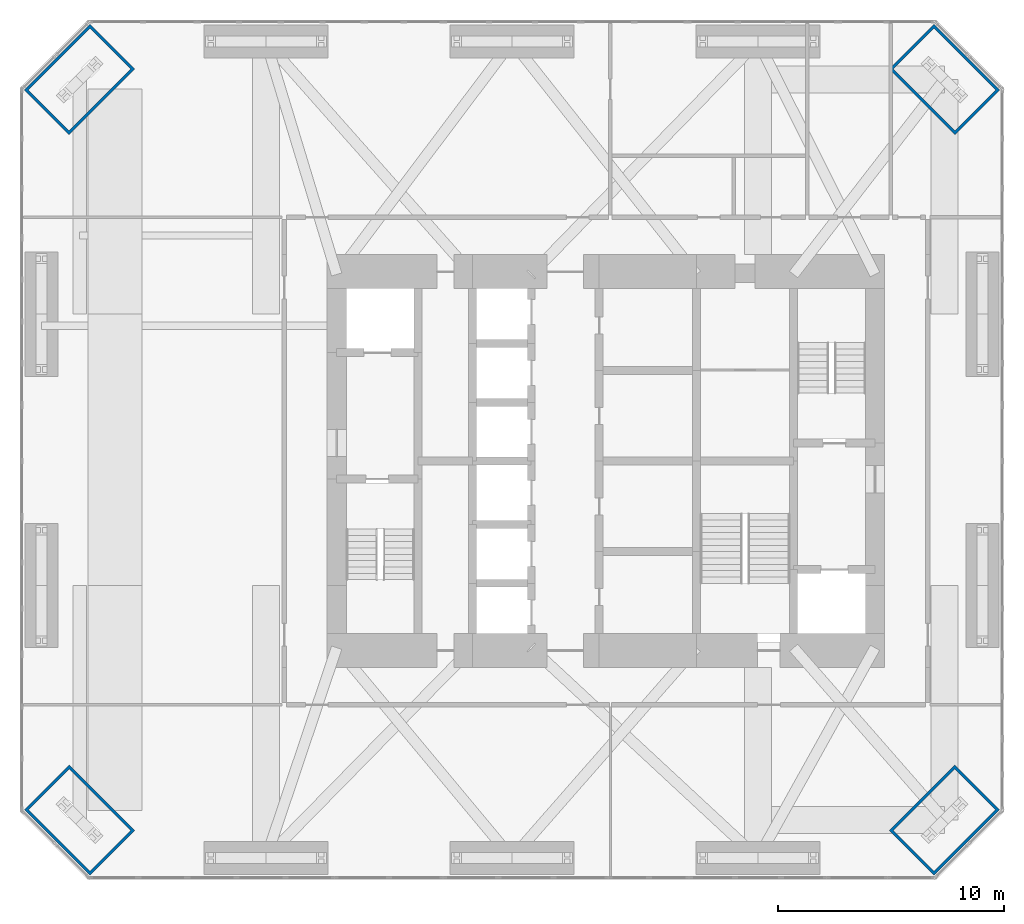
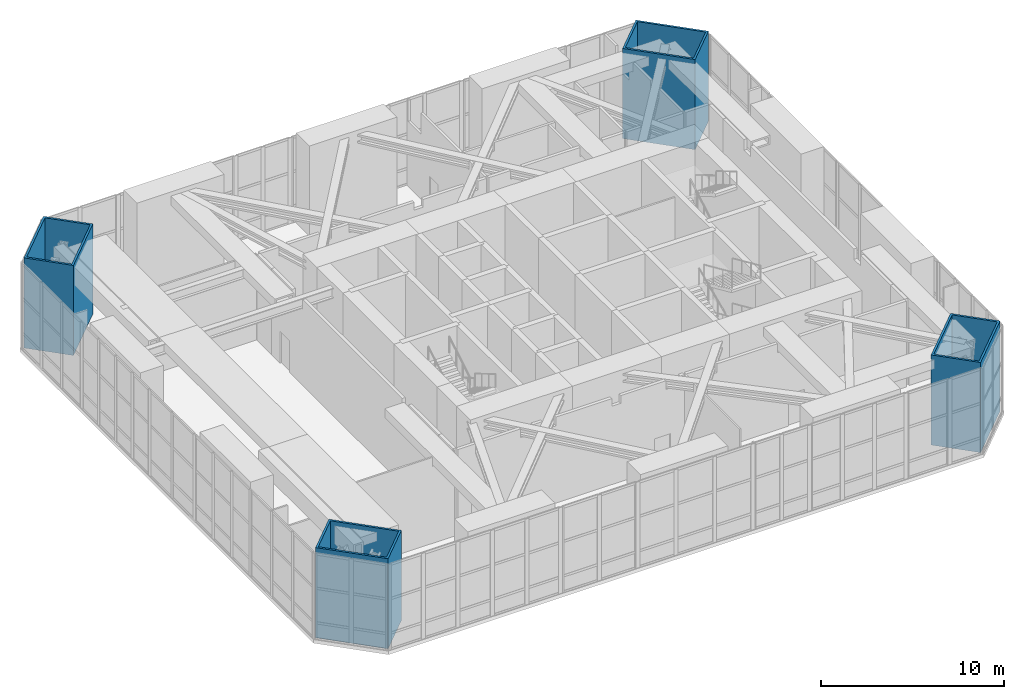
# One storey, part 1 of 18: 4 columns.
"""IFC4 building model written with IfcOpenShell, lengths in metres."""

from ifc_helpers import new_model, si_unit, direction, frame, origin, origin_2d, place, context, subcontext, project, spatial, hollow_rectangle, extrude, material, material_profile, profile_set, type_object, element, save


model = new_model("IFC4")

# Units and contexts
model_context = context("Model", 3, precision=1e-05, world=origin(), true_north=direction((0.0, 1.0)))
body_context = subcontext(model_context, "Body", "Model", "MODEL_VIEW")
ifc_project = project(units=[si_unit("LENGTHUNIT", "METRE"), si_unit("AREAUNIT", "SQUARE_METRE"), si_unit("VOLUMEUNIT", "CUBIC_METRE"), si_unit("PLANEANGLEUNIT", "RADIAN"), si_unit("MASSUNIT", "GRAM", prefix="KILO")], contexts=[model_context])

# Site, building, storey
site_placement = place(None, origin())
site = spatial("IfcSite", under=ifc_project, at=site_placement, CompositionType="ELEMENT")
building_placement = place(site_placement, origin())
building = spatial("IfcBuilding", under=site, at=building_placement, Name="Jalousie Tower", CompositionType="ELEMENT")
storey_placement = place(building_placement, frame((0.0, 0.0, 138.35009765625)))
storey = spatial("IfcBuildingStorey", under=building, at=storey_placement, Name="L38", CompositionType="ELEMENT", Elevation=138.35009765625)

# Columns
ifc_material = material(Name="Steel EN 10025-2 S355J2 plate", Category="steel")
ifc_material_profile = material_profile(ifc_material, hollow_rectangle(XDim=2.800048828125, YDim=4.10009765625, WallThickness=0.125, at=origin_2d()), Name="BOX 4100x2800x125")
ifc_profile_set = profile_set([ifc_material_profile], Name="Steel EN 10025-2 S355J2 plate")
column_type = type_object("IfcColumnType", Name="BUILT-UP BOX CORNER COLUMN BOX 4100x2800x125", PredefinedType="COLUMN", material=ifc_profile_set)
for number, where, z_axis, x_axis, name in (
    (1, (8.63134765625, 2.63134765625, 0.0), (0.0, 0.0, 1.0), (0.707106781187, 0.707106781187, 0.0), "Corner column 01 L38"),
    (2, (46.86865234375, 2.63134765625, 0.0), (0.0, 0.0, 1.0), (-0.707106781187, 0.707106781187, 0.0), "Corner column 05 L38"),
    (3, (46.86865234375, 35.36865234375, 0.0), (0.0, 0.0, 1.0), (-0.707106781187, -0.707106781187, 0.0), "Corner column 08 L38"),
    (4, (8.63134765625, 35.36865234375, 0.0), (0.0, 0.0, 1.0), (0.707106781187, -0.707106781187, 0.0), "Corner column 12 L38"),
):
    element("IfcColumn", number, at=place(storey_placement, frame(where, z_axis=z_axis, x_axis=x_axis)), inside=storey, type_object=column_type, Name=name, PredefinedType="COLUMN", context=body_context, shape_type="SweptSolid", body=[
        extrude(hollow_rectangle(XDim=2.800048828125, YDim=4.10009765625, WallThickness=0.125, at=origin_2d()), origin(), (0.0, 0.0, 1.0), 6.0),
    ])

save(model, "model.ifc")
